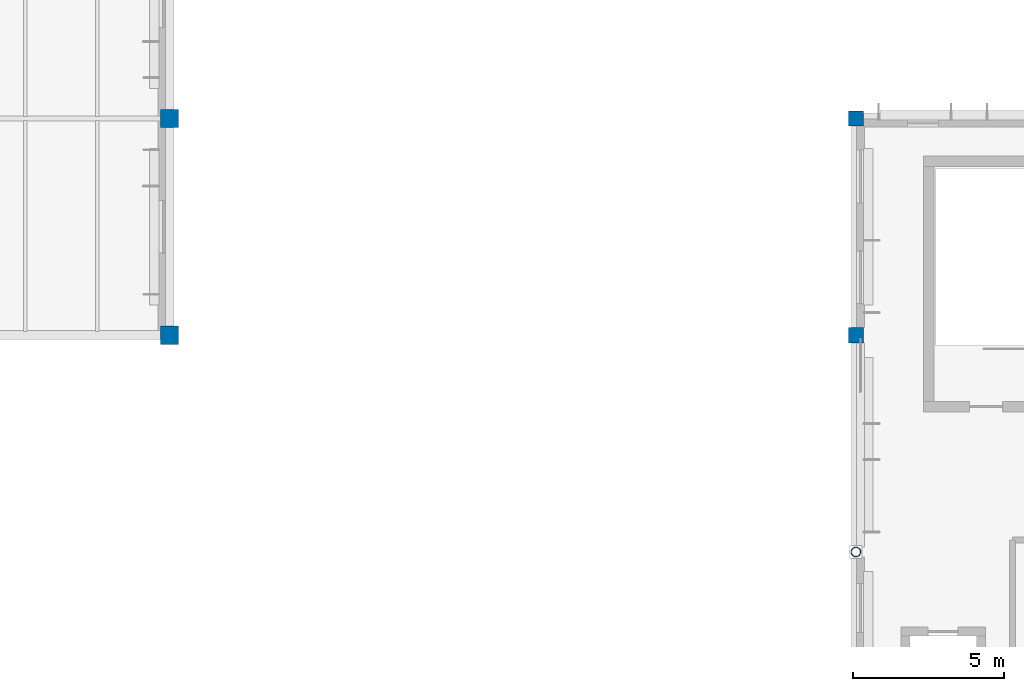
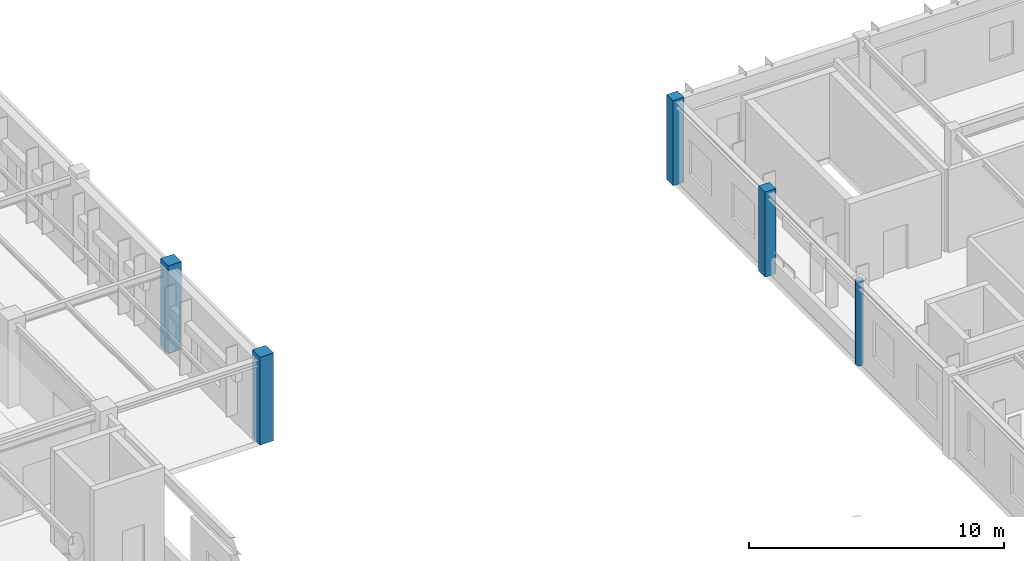
# One storey, part 5 of 104: 5 columns.
"""IFC4 building model written with IfcOpenShell, lengths in metres."""

from ifc_helpers import new_model, si_unit, direction, frame, origin, origin_2d, place, context, subcontext, project, spatial, rectangle, hollow_circle, extrude, material, material_profile, profile_set, type_object, element, save


model = new_model("IFC4")

# Units and contexts
model_context = context("Model", 3, precision=1e-05, world=origin(), true_north=direction((0.0, 1.0)))
body_context = subcontext(model_context, "Body", "Model", "MODEL_VIEW")
ifc_project = project(units=[si_unit("LENGTHUNIT", "METRE"), si_unit("AREAUNIT", "SQUARE_METRE"), si_unit("VOLUMEUNIT", "CUBIC_METRE"), si_unit("PLANEANGLEUNIT", "RADIAN"), si_unit("MASSUNIT", "GRAM", prefix="KILO")], contexts=[model_context])

# Site, building, storey
site_placement = place(None, origin())
site = spatial("IfcSite", under=ifc_project, at=site_placement, CompositionType="ELEMENT")
building_placement = place(site_placement, origin())
building = spatial("IfcBuilding", under=site, at=building_placement, Name="Tazoul Stagehouse", CompositionType="ELEMENT")
storey_placement = place(building_placement, frame((0.0, 0.0, 9.0)))
storey = spatial("IfcBuildingStorey", under=building, at=storey_placement, Name="L02", CompositionType="ELEMENT", Elevation=9.0)

# Columns
ifc_material_1 = material(Name="Concrete C40/50", Category="concrete")
ifc_material_profile_1 = material_profile(ifc_material_1, rectangle(XDim=0.5, YDim=0.5, at=origin_2d()), Name="RC 500x500")
ifc_profile_set_1 = profile_set([ifc_material_profile_1], Name="Concrete C40/50")
column_type_1 = type_object("IfcColumnType", Name="RC Column 500x500 (Exterior)", PredefinedType="COLUMN", material=ifc_profile_set_1)
for number, where, z_axis, x_axis, name in (
    (1, (125.39990234375, 51.800048828125, 0.0), (0.0, 0.0, 1.0), (1.0, 0.0, 0.0), "L02 Column C-02E at 19/H"),
    (2, (125.39990234375, 59.0, 0.0), (0.0, 0.0, 1.0), (1.0, 0.0, 0.0), "L02 Column C-02E at 19/J"),
):
    element("IfcColumn", number, at=place(storey_placement, frame(where, z_axis=z_axis, x_axis=x_axis)), inside=storey, type_object=column_type_1, Name=name, PredefinedType="COLUMN", context=body_context, shape_type="SweptSolid", body=[
        extrude(rectangle(XDim=0.5, YDim=0.5, at=origin_2d()), origin(), (0.0, 0.0, 1.0), 4.06005859375),
    ])
ifc_material_profile_2 = material_profile(ifc_material_1, rectangle(XDim=0.60009765625, YDim=0.60009765625, at=origin_2d()), Name="RC 600x600")
ifc_profile_set_2 = profile_set([ifc_material_profile_2], Name="Concrete C40/50")
column_type_2 = type_object("IfcColumnType", Name="RC Column 600x600 (Exterior)", PredefinedType="COLUMN", material=ifc_profile_set_2)
for number, where, z_axis, x_axis, name in (
    (3, (102.60009765625, 51.800048828125, 0.0), (0.0, 0.0, 1.0), (1.0, 0.0, 0.0), "L02 Column C-03E at 16/H"),
    (4, (102.60009765625, 59.0, 0.0), (0.0, 0.0, 1.0), (1.0, 0.0, 0.0), "L02 Column C-03E at 16/J"),
):
    element("IfcColumn", number, at=place(storey_placement, frame(where, z_axis=z_axis, x_axis=x_axis)), inside=storey, type_object=column_type_2, Name=name, PredefinedType="COLUMN", context=body_context, shape_type="SweptSolid", body=[
        extrude(rectangle(XDim=0.60009765625, YDim=0.60009765625, at=origin_2d()), origin(), (0.0, 0.0, 1.0), 4.199951171875),
    ])
ifc_material_2 = material(Name="Steel S355", Category="steel")
ifc_material_profile_3 = material_profile(ifc_material_2, hollow_circle(Radius=0.161865234375, WallThickness=0.012451171875, at=origin_2d()), Name="CHS 323.9x12.5")
ifc_profile_set_3 = profile_set([ifc_material_profile_3], Name="Steel S355")
column_type_3 = type_object("IfcColumnType", Name="Steel Arcade Column CHS 323.9x12.5 (Exterior)", PredefinedType="COLUMN", material=ifc_profile_set_3)
column_placement = place(storey_placement, frame((125.39990234375, 44.60009765625, 0.0), z_axis=(0.0, 0.0, 1.0), x_axis=(1.0, 0.0, 0.0)))
element("IfcColumn", 5, at=column_placement, inside=storey, type_object=column_type_3, Name="L02 Column SC-07E at 19/G", PredefinedType="COLUMN", context=body_context, shape_type="SweptSolid", body=[
    extrude(hollow_circle(Radius=0.161865234375, WallThickness=0.012451171875, at=origin_2d()), origin(), (0.0, 0.0, 1.0), 4.06005859375),
])

save(model, "model.ifc")
